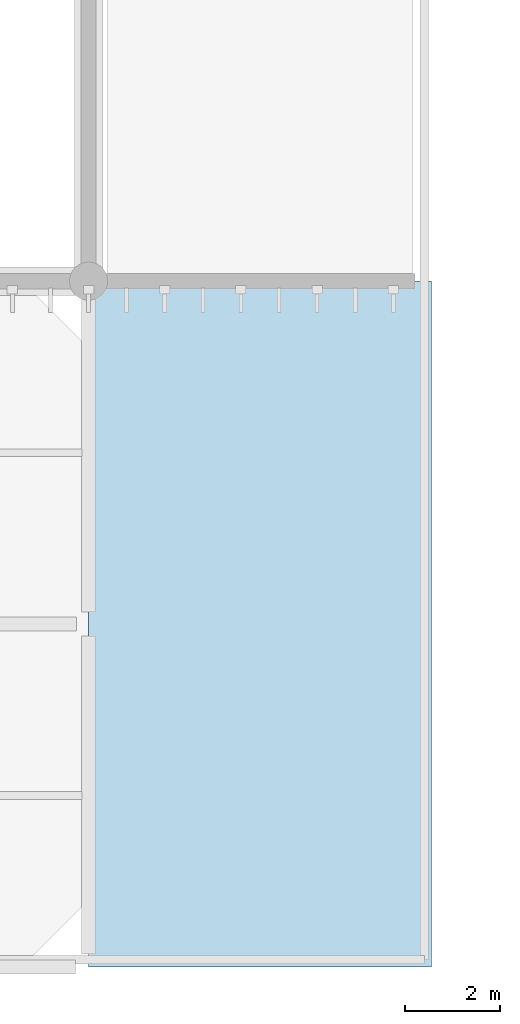
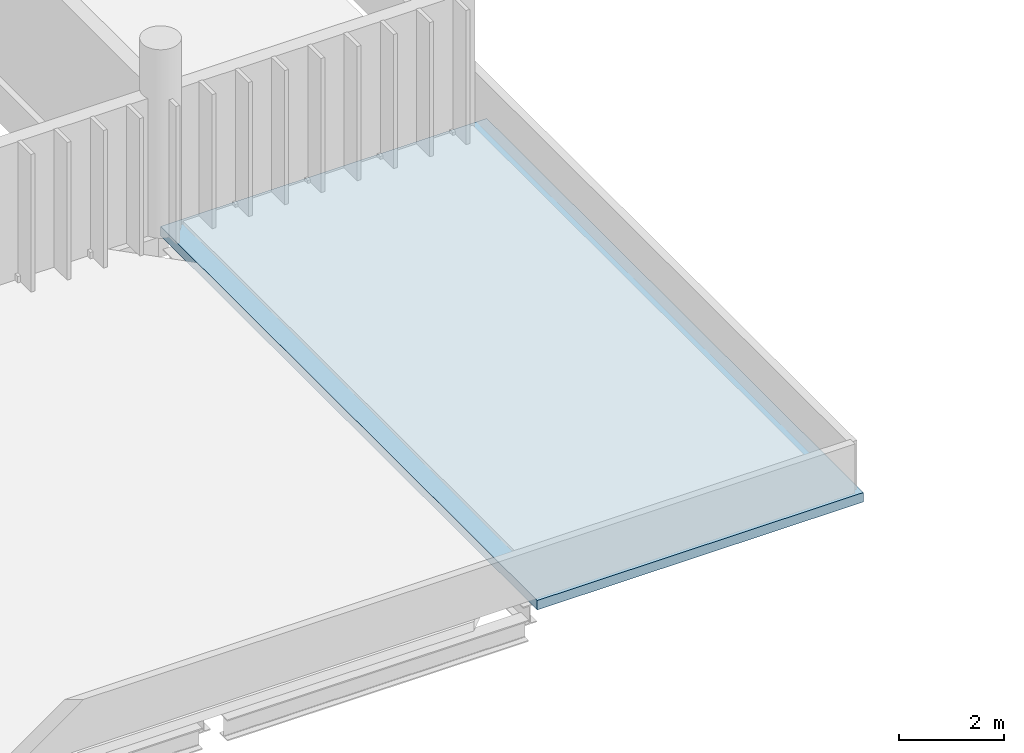
# One storey, part 53 of 81: 1 slab.
"""IFC4 building model written with IfcOpenShell, lengths in metres."""

from ifc_helpers import new_model, si_unit, direction, frame, origin, place, context, subcontext, project, spatial, polyline, outline, extrude, material, layer, layer_set, type_object, element, save


model = new_model("IFC4")

# Units and contexts
model_context = context("Model", 3, precision=1e-05, world=origin(), true_north=direction((0.0, 1.0)))
body_context = subcontext(model_context, "Body", "Model", "MODEL_VIEW")
ifc_project = project(units=[si_unit("LENGTHUNIT", "METRE"), si_unit("AREAUNIT", "SQUARE_METRE"), si_unit("VOLUMEUNIT", "CUBIC_METRE"), si_unit("PLANEANGLEUNIT", "RADIAN"), si_unit("MASSUNIT", "GRAM", prefix="KILO")], contexts=[model_context])

# Site, building, storey
site_placement = place(None, origin())
site = spatial("IfcSite", under=ifc_project, at=site_placement, CompositionType="ELEMENT")
building_placement = place(site_placement, origin())
building = spatial("IfcBuilding", under=site, at=building_placement, Name="Qandorah Velis Arena", CompositionType="ELEMENT")
storey_placement = place(building_placement, frame((0.0, 0.0, 18.60009765625)))
storey = spatial("IfcBuildingStorey", under=building, at=storey_placement, Name="L04", CompositionType="ELEMENT", Elevation=18.60009765625)

# Slab
ifc_material = material(Name="Concrete C40/50", Category="concrete")
ifc_layer = layer(ifc_material, 0.219970703125)
ifc_layer_set = layer_set([ifc_layer], Name="Concrete C40/50")
slab_type = type_object("IfcSlabType", Name="STR-SLB-RF220", PredefinedType="ROOF", material=ifc_layer_set)
slab_placement = place(storey_placement, frame((0.0, 0.0, -0.22021484375)))
element("IfcSlab", 1, at=slab_placement, inside=storey, type_object=slab_type, Name="Roof slab SLB-ROOF-EAST-POD-S", PredefinedType="ROOF", context=body_context, shape_type="SweptSolid", body=[
    extrude(outline(polyline([(115.199951171875, 0.0), (122.39990234375, 0.0), (122.39990234375, 14.39990234375), (115.199951171875, 14.39990234375), (115.199951171875, 0.0)])), origin(), (0.0, 0.0, 1.0), 0.22021484375),
])

save(model, "model.ifc")
